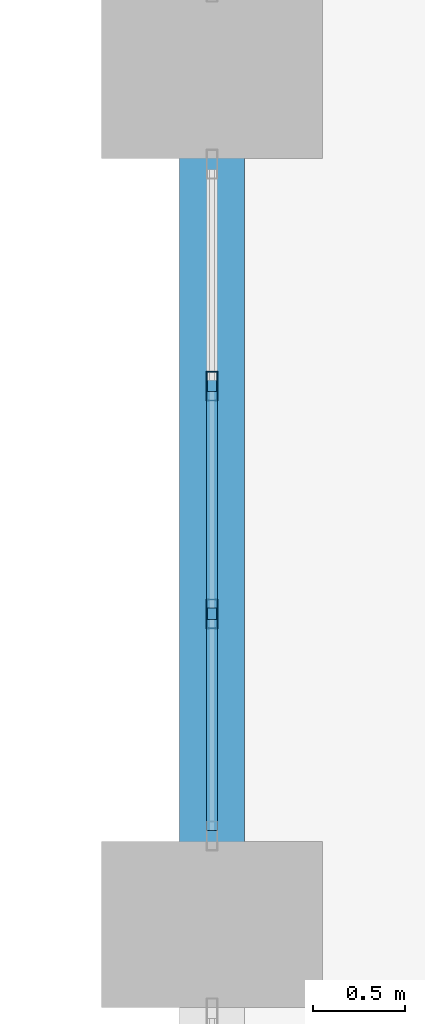
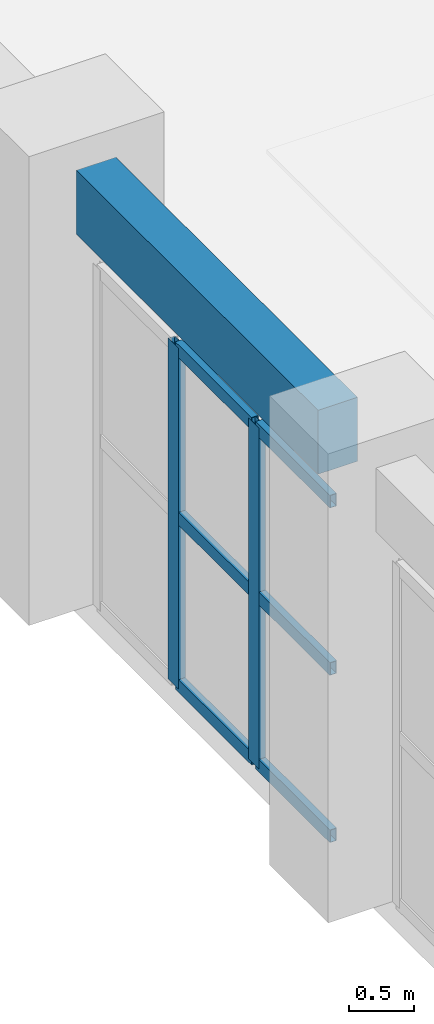
# One storey, part 30 of 116: 8 members, 1 beam, 1 element without a shape of its own.
"""IFC4 building model written with IfcOpenShell, lengths in metres."""

from ifc_helpers import new_model, si_unit, direction, frame, origin, origin_2d, place, context, subcontext, project, spatial, rectangle, hollow_rectangle, extrude, material, layer, layer_set, material_profile, profile_set, type_object, element, aggregate, save


model = new_model("IFC4")

# Units and contexts
model_context = context("Model", 3, precision=1e-05, world=origin(), true_north=direction((0.0, 1.0)))
body_context = subcontext(model_context, "Body", "Model", "MODEL_VIEW")
ifc_project = project(units=[si_unit("LENGTHUNIT", "METRE"), si_unit("AREAUNIT", "SQUARE_METRE"), si_unit("VOLUMEUNIT", "CUBIC_METRE"), si_unit("PLANEANGLEUNIT", "RADIAN"), si_unit("MASSUNIT", "GRAM", prefix="KILO")], contexts=[model_context])

# Site, building, storey
site_placement = place(None, origin())
site = spatial("IfcSite", under=ifc_project, at=site_placement, CompositionType="ELEMENT")
building_placement = place(site_placement, origin())
building = spatial("IfcBuilding", under=site, at=building_placement, Name="Muzn Square Opera House", CompositionType="ELEMENT")
storey_placement = place(building_placement, frame((0.0, 0.0, 5.39990234375)))
storey = spatial("IfcBuildingStorey", under=building, at=storey_placement, Name="L01", CompositionType="ELEMENT", Elevation=5.39990234375)

# Curtain wall, members
ifc_material_1 = material(Name="Low-E laminated acoustic double glazing", Category="glass")
ifc_layer = layer(ifc_material_1, 0.159912109375, Name="Low-E laminated acoustic double glazing", Category="glass")
ifc_layer_set = layer_set([ifc_layer], Name="Low-E laminated acoustic double glazing")
curtain_wall_type = type_object("IfcCurtainWallType", Name="Glazed Curtain Wall WestVaultCourt 3700x3200", PredefinedType="USERDEFINED", material=ifc_layer_set)
curtain_wall_placement = place(storey_placement, origin())
curtain_wall = element("IfcCurtainWall", 1, at=curtain_wall_placement, inside=storey, type_object=curtain_wall_type, Name="Glazed Curtain Wall CW-L01-045", ObjectType="GLAZED CURTAIN WALL", PredefinedType="USERDEFINED")
ifc_material_2 = material(Name="Anodised bronze aluminium 6063-T6", Category="metal")
ifc_material_profile_1 = material_profile(ifc_material_2, hollow_rectangle(XDim=0.06005859375, YDim=0.159912109375, WallThickness=0.00390625, at=origin_2d()), Name="ALU 160x60x4", Category="metal")
ifc_profile_set_1 = profile_set([ifc_material_profile_1], Name="Anodised bronze aluminium 6063-T6")
member_type_1 = type_object("IfcMemberType", Name="Curtain Wall Mullion 160x60", PredefinedType="MULLION", material=ifc_profile_set_1)
member_1_placement = place(storey_placement, frame((43.0, 46.683349609375, 0.0), z_axis=(0.0, 0.0, 1.0), x_axis=(-1.0, 0.0, 0.0)))
member_1 = element("IfcMember", 2, at=member_1_placement, type_object=member_type_1, Name="CW-WVC-37x32 mullion 2", PredefinedType="MULLION", context=body_context, shape_type="SweptSolid", body=[
    extrude(hollow_rectangle(XDim=0.06005859375, YDim=0.159912109375, WallThickness=0.00390625, at=origin_2d()), origin(), (0.0, 0.0, 1.0), 3.2001953125),
])
member_2_placement = place(storey_placement, frame((43.0, 47.916748046875, 0.0), z_axis=(0.0, 0.0, 1.0), x_axis=(-1.0, 0.0, 0.0)))
member_2 = element("IfcMember", 3, at=member_2_placement, type_object=member_type_1, Name="CW-WVC-37x32 mullion 3", PredefinedType="MULLION", context=body_context, shape_type="SweptSolid", body=[
    extrude(hollow_rectangle(XDim=0.06005859375, YDim=0.159912109375, WallThickness=0.00390625, at=origin_2d()), origin(), (0.0, 0.0, 1.0), 3.2001953125),
])
ifc_material_profile_2 = material_profile(ifc_material_2, hollow_rectangle(XDim=0.06005859375, YDim=0.1201171875, WallThickness=0.00390625, at=origin_2d()), Name="ALU 120x60x4", Category="metal")
ifc_profile_set_2 = profile_set([ifc_material_profile_2], Name="Anodised bronze aluminium 6063-T6")
member_type_2 = type_object("IfcMemberType", Name="Curtain Wall Transom 120x60", PredefinedType="USERDEFINED", material=ifc_profile_set_2)
member_3_placement = place(storey_placement, frame((43.0, 45.510009765625, 0.030029296875), z_axis=(0.0, 1.0, 0.0), x_axis=(-1.0, 0.0, 0.0)))
member_3 = element("IfcMember", 4, at=member_3_placement, type_object=member_type_2, Name="CW-WVC-37x32 transom 1.1", ObjectType="TRANSOM", PredefinedType="USERDEFINED", context=body_context, shape_type="SweptSolid", body=[
    extrude(hollow_rectangle(XDim=0.06005859375, YDim=0.1201171875, WallThickness=0.00390625, at=origin_2d()), origin(), (0.0, 0.0, 1.0), 1.143310546875),
])
member_4_placement = place(storey_placement, frame((43.0, 45.510009765625, 1.60009765625), z_axis=(0.0, 1.0, 0.0), x_axis=(-1.0, 0.0, 0.0)))
member_4 = element("IfcMember", 5, at=member_4_placement, type_object=member_type_2, Name="CW-WVC-37x32 transom 1.2", ObjectType="TRANSOM", PredefinedType="USERDEFINED", context=body_context, shape_type="SweptSolid", body=[
    extrude(hollow_rectangle(XDim=0.06005859375, YDim=0.1201171875, WallThickness=0.00390625, at=origin_2d()), origin(), (0.0, 0.0, 1.0), 1.143310546875),
])
member_5_placement = place(storey_placement, frame((43.0, 45.510009765625, 3.170166015625), z_axis=(0.0, 1.0, 0.0), x_axis=(-1.0, 0.0, 0.0)))
member_5 = element("IfcMember", 6, at=member_5_placement, type_object=member_type_2, Name="CW-WVC-37x32 transom 1.3", ObjectType="TRANSOM", PredefinedType="USERDEFINED", context=body_context, shape_type="SweptSolid", body=[
    extrude(hollow_rectangle(XDim=0.06005859375, YDim=0.1201171875, WallThickness=0.00390625, at=origin_2d()), origin(), (0.0, 0.0, 1.0), 1.143310546875),
])
member_6_placement = place(storey_placement, frame((43.0, 46.71337890625, 0.030029296875), z_axis=(0.0, 1.0, 0.0), x_axis=(-1.0, 0.0, 0.0)))
member_6 = element("IfcMember", 7, at=member_6_placement, type_object=member_type_2, Name="CW-WVC-37x32 transom 2.1", ObjectType="TRANSOM", PredefinedType="USERDEFINED", context=body_context, shape_type="SweptSolid", body=[
    extrude(hollow_rectangle(XDim=0.06005859375, YDim=0.1201171875, WallThickness=0.00390625, at=origin_2d()), origin(), (0.0, 0.0, 1.0), 1.17333984375),
])
member_7_placement = place(storey_placement, frame((43.0, 46.71337890625, 1.60009765625), z_axis=(0.0, 1.0, 0.0), x_axis=(-1.0, 0.0, 0.0)))
member_7 = element("IfcMember", 8, at=member_7_placement, type_object=member_type_2, Name="CW-WVC-37x32 transom 2.2", ObjectType="TRANSOM", PredefinedType="USERDEFINED", context=body_context, shape_type="SweptSolid", body=[
    extrude(hollow_rectangle(XDim=0.06005859375, YDim=0.1201171875, WallThickness=0.00390625, at=origin_2d()), origin(), (0.0, 0.0, 1.0), 1.17333984375),
])
member_8_placement = place(storey_placement, frame((43.0, 46.71337890625, 3.170166015625), z_axis=(0.0, 1.0, 0.0), x_axis=(-1.0, 0.0, 0.0)))
member_8 = element("IfcMember", 9, at=member_8_placement, type_object=member_type_2, Name="CW-WVC-37x32 transom 2.3", ObjectType="TRANSOM", PredefinedType="USERDEFINED", context=body_context, shape_type="SweptSolid", body=[
    extrude(hollow_rectangle(XDim=0.06005859375, YDim=0.1201171875, WallThickness=0.00390625, at=origin_2d()), origin(), (0.0, 0.0, 1.0), 1.17333984375),
])
aggregate(curtain_wall, [member_1, member_2, member_3, member_4, member_5, member_6, member_7, member_8])

# Beam
ifc_material_3 = material(Name="Concrete C40/50", Category="concrete")
ifc_material_profile_3 = material_profile(ifc_material_3, rectangle(XDim=0.35009765625, YDim=0.60009765625, at=origin_2d()), Name="RCB 350x600", Category="concrete")
ifc_profile_set_3 = profile_set([ifc_material_profile_3], Name="Concrete C40/50")
beam_type = type_object("IfcBeamType", Name="Primary Girder 350x600", PredefinedType="BEAM", material=ifc_profile_set_3)
beam_placement = place(storey_placement, frame((43.0, 45.44189453125, 3.820068359375), z_axis=(0.0, 1.0, 0.0), x_axis=(-1.0, 0.0, 0.0)))
element("IfcBeam", 10, at=beam_placement, inside=storey, type_object=beam_type, Name="Primary Girder BM-L01-BM-PG600-430_454_430_492-1604", PredefinedType="BEAM", context=body_context, shape_type="SweptSolid", body=[
    extrude(rectangle(XDim=0.35009765625, YDim=0.60009765625, at=origin_2d()), origin(), (0.0, 0.0, 1.0), 3.716064453125),
])

save(model, "model.ifc")
